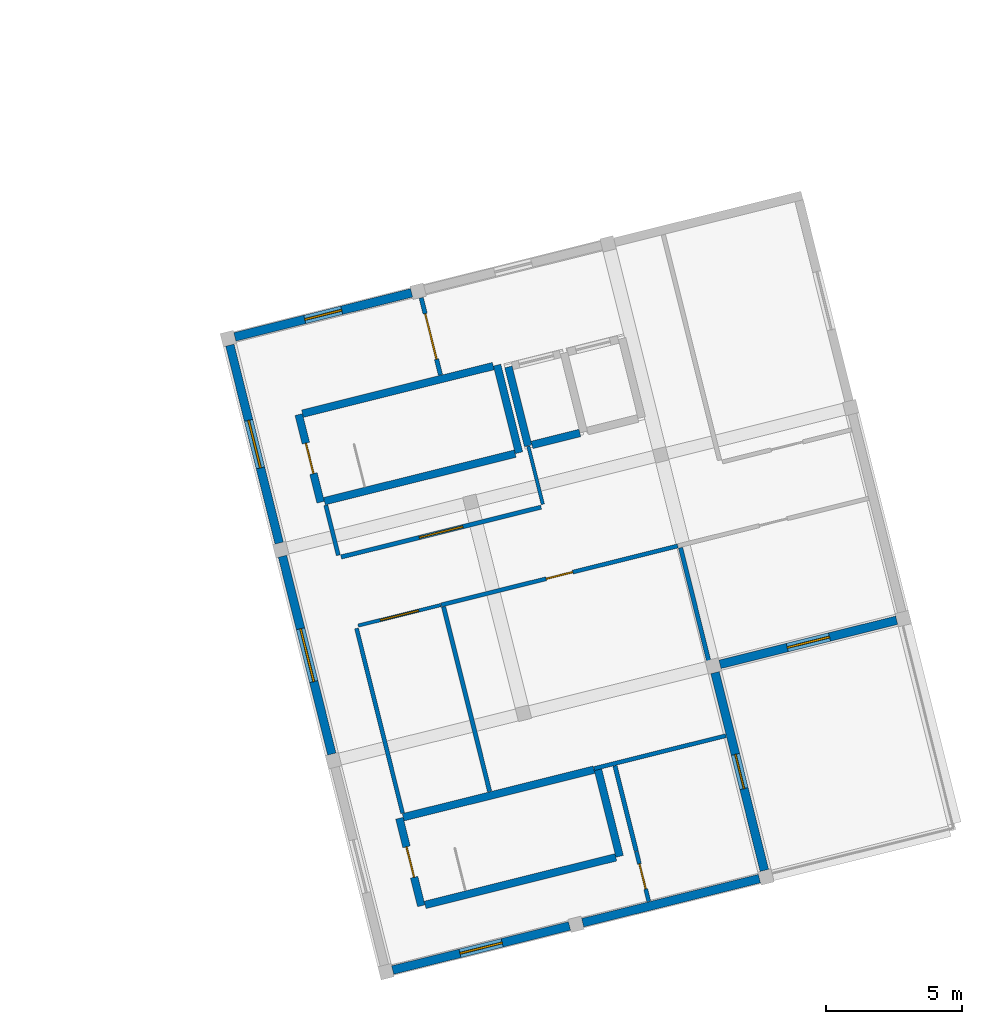
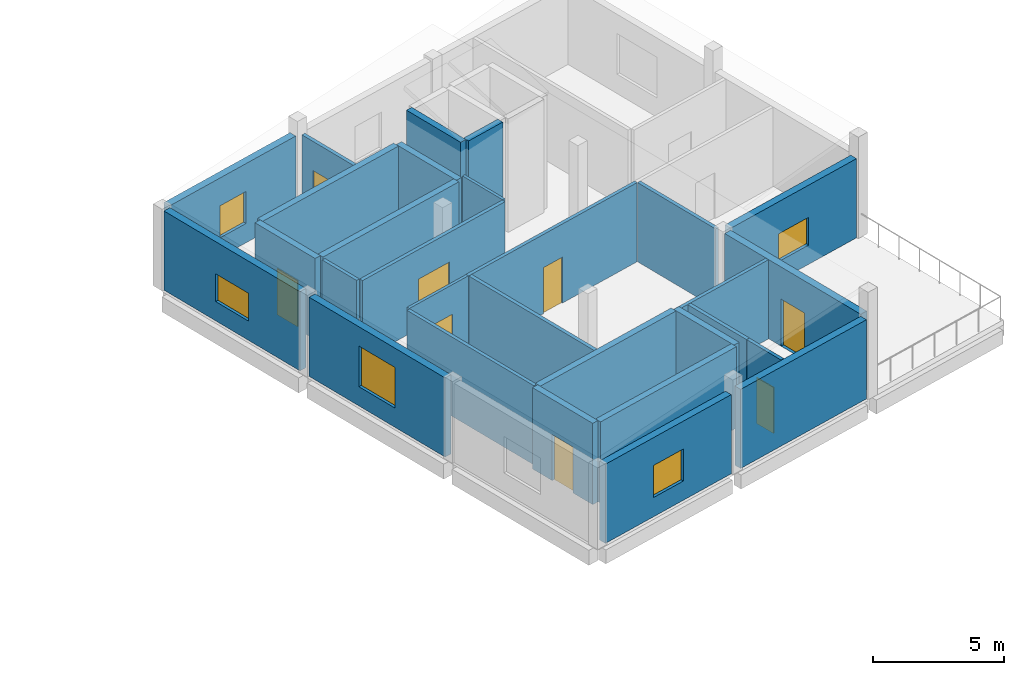
# One storey, part 2 of 4: 29 walls, 8 doors, 5 windows, 13 openings.
"""IFC4 building model written with IfcOpenShell, lengths in metres."""

from ifc_helpers import new_model, si_unit, direction, frame, frame_2d, origin, place, context, subcontext, project, spatial, rectangle, extrude, material, layer, layer_set, type_object, element, fill, save


model = new_model("IFC4")

# Units and contexts
model_context = context("Model", 3, precision=1e-05, world=origin(), true_north=direction((0.0, 1.0)))
body_context = subcontext(model_context, "Body", "Model", "MODEL_VIEW")
ifc_project = project(units=[si_unit("LENGTHUNIT", "METRE"), si_unit("AREAUNIT", "SQUARE_METRE"), si_unit("VOLUMEUNIT", "CUBIC_METRE"), si_unit("PLANEANGLEUNIT", "RADIAN"), si_unit("MASSUNIT", "GRAM", prefix="KILO")], contexts=[model_context])

# Site, building, storey
site_placement = place(None, origin())
site = spatial("IfcSite", under=ifc_project, at=site_placement, CompositionType="ELEMENT")
building_placement = place(site_placement, origin())
building = spatial("IfcBuilding", under=site, at=building_placement, Name="Mawjan Specialist Oncology Clinic", CompositionType="ELEMENT")
storey_placement = place(building_placement, frame((0.0, 0.0, 25.5)))
storey = spatial("IfcBuildingStorey", under=building, at=storey_placement, Name="L06", CompositionType="ELEMENT", Elevation=25.5)

# Wall, opening, window
ifc_material_1 = material(Name="Precast concrete C40/50", Category="concrete")
ifc_layer_1 = layer(ifc_material_1, 0.320068359375, Name="Precast concrete C40/50", Category="concrete")
ifc_layer_set_1 = layer_set([ifc_layer_1], Name="Precast concrete C40/50")
wall_type_1 = type_object("IfcWallType", Name="EW-320", PredefinedType="SOLIDWALL", material=ifc_layer_set_1)
wall_1_placement = place(storey_placement, frame((120.4365234375, 24.1474609375, 0.0), z_axis=(0.0, 0.0, 1.0), x_axis=(0.970288079516, 0.241952563016, 0.0)))
wall_1 = element("IfcWall", 1, at=wall_1_placement, inside=storey, type_object=wall_type_1, Name="L06 Coral-Limestone Exterior Wall EW-L06-394", PredefinedType="SOLIDWALL", context=body_context, shape_type="SweptSolid", body=[
    extrude(rectangle(XDim=6.699951171875, YDim=0.320068359375, at=frame_2d((3.35009765625, 0.0))), origin(), (0.0, 0.0, 1.0), 3.699951171875),
])
opening_1_placement = place(wall_1_placement, frame((2.64990234375, 0.0, 0.89990234375)))
opening_1 = element("IfcOpeningElement", 2, at=opening_1_placement, cuts=wall_1, Name="Opening WN-14", PredefinedType="OPENING", context=body_context, shape_type="SweptSolid", body=[
    extrude(rectangle(XDim=1.39990234375, YDim=1.5, at=frame_2d((0.699951171875, 0.75))), frame((0.0, 0.172119140625, 0.0), z_axis=(0.0, -1.0, 0.0), x_axis=(1.0, 0.0, 0.0)), (0.0, 0.0, 1.0), 0.343994140625),
])
ifc_material_2 = material(Name="Thermally broken low-E clinical aluminium window", Category="aluminium")
window_type_1 = type_object("IfcWindowType", Name="WN-14", PartitioningType="SINGLE_PANEL", PredefinedType="WINDOW", material=ifc_material_2)
window_1_placement = place(opening_1_placement, origin())
window_1 = element("IfcWindow", 3, at=window_1_placement, inside=storey, type_object=window_type_1, Name="L06 Clinical Low-E Window 086", OverallHeight=1.5, OverallWidth=1.39990234375, PartitioningType="SINGLE_PANEL", PredefinedType="WINDOW", context=body_context, shape_type="SweptSolid", body=[
    extrude(rectangle(XDim=1.39990234375, YDim=1.5, at=frame_2d((0.699951171875, 0.75))), frame((0.0, 0.030029296875, 0.0), z_axis=(0.0, -1.0, 0.0), x_axis=(1.0, 0.0, 0.0)), (0.0, 0.0, 1.0), 0.06005859375),
])
fill(opening_1, window_1)

wall_2_placement = place(storey_placement, frame((144.780517578125, 13.727294921875, 0.0), z_axis=(0.0, 0.0, 1.0), x_axis=(-0.970296633454, -0.241918257079, 0.0)))
wall_2 = element("IfcWall", 4, at=wall_2_placement, inside=storey, type_object=wall_type_1, Name="L06 Coral-Limestone Exterior Wall EW-L06-399", PredefinedType="SOLIDWALL", context=body_context, shape_type="SweptSolid", body=[
    extrude(rectangle(XDim=6.699951171875, YDim=0.320068359375, at=frame_2d((3.35009765625, 0.0))), origin(), (0.0, 0.0, 1.0), 3.699951171875),
])
opening_2_placement = place(wall_2_placement, frame((2.550048828125, 0.0, 0.89990234375)))
opening_2 = element("IfcOpeningElement", 5, at=opening_2_placement, cuts=wall_2, Name="Opening WN-17", PredefinedType="OPENING", context=body_context, shape_type="SweptSolid", body=[
    extrude(rectangle(XDim=1.60009765625, YDim=1.300048828125, at=frame_2d((0.800048828125, 0.64990234375))), frame((0.0, 0.172119140625, 0.0), z_axis=(0.0, -1.0, 0.0), x_axis=(1.0, 0.0, 0.0)), (0.0, 0.0, 1.0), 0.343994140625),
])
ifc_material_3 = material(Name="Thermally broken low-E clinical aluminium window", Category="aluminium")
window_type_2 = type_object("IfcWindowType", Name="WN-17", PartitioningType="DOUBLE_PANEL_VERTICAL", PredefinedType="WINDOW", material=ifc_material_3)
window_2_placement = place(opening_2_placement, origin())
window_2 = element("IfcWindow", 6, at=window_2_placement, inside=storey, type_object=window_type_2, Name="L06 Clinical Low-E Window 089", OverallHeight=1.300048828125, OverallWidth=1.60009765625, PartitioningType="DOUBLE_PANEL_VERTICAL", PredefinedType="WINDOW", context=body_context, shape_type="SweptSolid", body=[
    extrude(rectangle(XDim=1.60009765625, YDim=1.300048828125, at=frame_2d((0.800048828125, 0.64990234375))), frame((0.0, 0.030029296875, 0.0), z_axis=(0.0, -1.0, 0.0), x_axis=(1.0, 0.0, 0.0)), (0.0, 0.0, 1.0), 0.06005859375),
])
fill(opening_2, window_2)

# Wall, opening, door
wall_3_placement = place(storey_placement, frame((138.097412109375, 11.803466796875, 0.0), z_axis=(0.0, 0.0, 1.0), x_axis=(0.241930483572, -0.970293585014, 0.0)))
wall_3 = element("IfcWall", 7, at=wall_3_placement, inside=storey, type_object=wall_type_1, Name="L06 Coral-Limestone Exterior Wall EW-L06-400", PredefinedType="SOLIDWALL", context=body_context, shape_type="SweptSolid", body=[
    extrude(rectangle(XDim=7.5, YDim=0.320068359375, at=frame_2d((3.75, 0.0))), origin(), (0.0, 0.0, 1.0), 3.699951171875),
])
opening_3_placement = place(wall_3_placement, frame((3.10009765625, 0.0, 0.0)))
opening_3 = element("IfcOpeningElement", 8, at=opening_3_placement, cuts=wall_3, Name="Opening DT-130", PredefinedType="OPENING", context=body_context, shape_type="SweptSolid", body=[
    extrude(rectangle(XDim=1.300048828125, YDim=2.199951171875, at=frame_2d((0.64990234375, 1.10009765625))), frame((0.0, 0.172119140625, 0.0), z_axis=(0.0, -1.0, 0.0), x_axis=(1.0, 0.0, 0.0)), (0.0, 0.0, 1.0), 0.343994140625),
])
ifc_material_4 = material(Name="Insulated marine-grade aluminium entrance assembly", Category="aluminium")
door_type_1 = type_object("IfcDoorType", Name="DT-130", OperationType="NOTDEFINED", PredefinedType="DOOR", material=ifc_material_4)
door_1_placement = place(opening_3_placement, origin())
door_1 = element("IfcDoor", 9, at=door_1_placement, inside=storey, type_object=door_type_1, Name="L06 Healing Terrace Access Door 8", OperationType="SINGLE_SWING_LEFT", OverallHeight=2.199951171875, OverallWidth=1.300048828125, PredefinedType="DOOR", context=body_context, shape_type="SweptSolid", body=[
    extrude(rectangle(XDim=1.300048828125, YDim=2.199951171875, at=frame_2d((0.64990234375, 1.10009765625))), frame((0.0, 0.02490234375, 0.0), z_axis=(0.0, -1.0, 0.0), x_axis=(1.0, 0.0, 0.0)), (0.0, 0.0, 1.0), 0.050048828125),
])
fill(opening_3, door_1)

# Wall
wall_4_placement = place(storey_placement, frame((139.729736328125, 4.22314453125, 0.0), z_axis=(0.0, 0.0, 1.0), x_axis=(-0.970296633454, -0.241918257079, 0.0)))
element("IfcWall", 10, at=wall_4_placement, inside=storey, type_object=wall_type_1, Name="L06 Coral-Limestone Exterior Wall EW-L06-401", PredefinedType="SOLIDWALL", context=body_context, shape_type="SweptSolid", body=[
    extrude(rectangle(XDim=6.699951171875, YDim=0.320068359375, at=frame_2d((3.35009765625, 0.0))), origin(), (0.0, 0.0, 1.0), 3.699951171875),
])

# Wall, opening, window
wall_5_placement = place(storey_placement, frame((132.74365234375, 2.4814453125, 0.0), z_axis=(0.0, 0.0, 1.0), x_axis=(-0.970296633454, -0.241918257079, 0.0)))
wall_5 = element("IfcWall", 11, at=wall_5_placement, inside=storey, type_object=wall_type_1, Name="L06 Coral-Limestone Exterior Wall EW-L06-402", PredefinedType="SOLIDWALL", context=body_context, shape_type="SweptSolid", body=[
    extrude(rectangle(XDim=6.699951171875, YDim=0.320068359375, at=frame_2d((3.35009765625, 0.0))), origin(), (0.0, 0.0, 1.0), 3.699951171875),
])
opening_4_placement = place(wall_5_placement, frame((2.550048828125, 0.0, 0.89990234375)))
opening_4 = element("IfcOpeningElement", 12, at=opening_4_placement, cuts=wall_5, Name="Opening WN-18", PredefinedType="OPENING", context=body_context, shape_type="SweptSolid", body=[
    extrude(rectangle(XDim=1.60009765625, YDim=1.5, at=frame_2d((0.800048828125, 0.75))), frame((0.0, 0.172119140625, 0.0), z_axis=(0.0, -1.0, 0.0), x_axis=(1.0, 0.0, 0.0)), (0.0, 0.0, 1.0), 0.343994140625),
])
ifc_material_5 = material(Name="Thermally broken low-E clinical aluminium window", Category="aluminium")
window_type_3 = type_object("IfcWindowType", Name="WN-18", PartitioningType="DOUBLE_PANEL_VERTICAL", PredefinedType="WINDOW", material=ifc_material_5)
window_3_placement = place(opening_4_placement, origin())
window_3 = element("IfcWindow", 13, at=window_3_placement, inside=storey, type_object=window_type_3, Name="L06 Clinical Low-E Window 090", OverallHeight=1.5, OverallWidth=1.60009765625, PartitioningType="DOUBLE_PANEL_VERTICAL", PredefinedType="WINDOW", context=body_context, shape_type="SweptSolid", body=[
    extrude(rectangle(XDim=1.60009765625, YDim=1.5, at=frame_2d((0.800048828125, 0.75))), frame((0.0, 0.030029296875, 0.0), z_axis=(0.0, -1.0, 0.0), x_axis=(1.0, 0.0, 0.0)), (0.0, 0.0, 1.0), 0.06005859375),
])
fill(opening_4, window_3)

wall_6_placement = place(storey_placement, frame((124.004150390625, 8.804931640625, 0.0), z_axis=(0.0, 0.0, 1.0), x_axis=(-0.241922842305, 0.970295490235, 0.0)))
wall_6 = element("IfcWall", 14, at=wall_6_placement, inside=storey, type_object=wall_type_1, Name="L06 Coral-Limestone Exterior Wall EW-L06-404", PredefinedType="SOLIDWALL", context=body_context, shape_type="SweptSolid", body=[
    extrude(rectangle(XDim=7.500244140625, YDim=0.320068359375, at=frame_2d((3.75, 0.0))), origin(), (0.0, 0.0, 1.0), 3.699951171875),
])
opening_5_placement = place(wall_6_placement, frame((2.75, 0.0, 0.89990234375)))
opening_5 = element("IfcOpeningElement", 15, at=opening_5_placement, cuts=wall_6, Name="Opening WN-28", PredefinedType="OPENING", context=body_context, shape_type="SweptSolid", body=[
    extrude(rectangle(XDim=2.0, YDim=1.89990234375, at=frame_2d((1.0, 0.949951171875))), frame((0.0, 0.172119140625, 0.0), z_axis=(0.0, -1.0, 0.0), x_axis=(1.0, 0.0, 0.0)), (0.0, 0.0, 1.0), 0.343994140625),
])
ifc_material_6 = material(Name="Thermally broken low-E clinical aluminium window", Category="aluminium")
window_type_4 = type_object("IfcWindowType", Name="WN-28", PartitioningType="DOUBLE_PANEL_VERTICAL", PredefinedType="WINDOW", material=ifc_material_6)
window_4_placement = place(opening_5_placement, origin())
window_4 = element("IfcWindow", 16, at=window_4_placement, inside=storey, type_object=window_type_4, Name="L06 Clinical Low-E Window 092", OverallHeight=1.89990234375, OverallWidth=2.0, PartitioningType="DOUBLE_PANEL_VERTICAL", PredefinedType="WINDOW", context=body_context, shape_type="SweptSolid", body=[
    extrude(rectangle(XDim=2.0, YDim=1.89990234375, at=frame_2d((1.0, 0.949951171875))), frame((0.0, 0.030029296875, 0.0), z_axis=(0.0, -1.0, 0.0), x_axis=(1.0, 0.0, 0.0)), (0.0, 0.0, 1.0), 0.06005859375),
])
fill(opening_5, window_4)

wall_7_placement = place(storey_placement, frame((122.06884765625, 16.5673828125, 0.0), z_axis=(0.0, 0.0, 1.0), x_axis=(-0.241930483572, 0.970293585014, 0.0)))
wall_7 = element("IfcWall", 17, at=wall_7_placement, inside=storey, type_object=wall_type_1, Name="L06 Coral-Limestone Exterior Wall EW-L06-405", PredefinedType="SOLIDWALL", context=body_context, shape_type="SweptSolid", body=[
    extrude(rectangle(XDim=7.5, YDim=0.320068359375, at=frame_2d((3.75, 0.0))), origin(), (0.0, 0.0, 1.0), 3.699951171875),
])
opening_6_placement = place(wall_7_placement, frame((2.85009765625, 0.0, 0.89990234375)))
opening_6 = element("IfcOpeningElement", 18, at=opening_6_placement, cuts=wall_7, Name="Opening WN-21", PredefinedType="OPENING", context=body_context, shape_type="SweptSolid", body=[
    extrude(rectangle(XDim=1.800048828125, YDim=1.300048828125, at=frame_2d((0.89990234375, 0.64990234375))), frame((0.0, 0.172119140625, 0.0), z_axis=(0.0, -1.0, 0.0), x_axis=(1.0, 0.0, 0.0)), (0.0, 0.0, 1.0), 0.343994140625),
])
ifc_material_7 = material(Name="Thermally broken low-E clinical aluminium window", Category="aluminium")
window_type_5 = type_object("IfcWindowType", Name="WN-21", PartitioningType="DOUBLE_PANEL_VERTICAL", PredefinedType="WINDOW", material=ifc_material_7)
window_5_placement = place(opening_6_placement, origin())
window_5 = element("IfcWindow", 19, at=window_5_placement, inside=storey, type_object=window_type_5, Name="L06 Clinical Low-E Window 093", OverallHeight=1.300048828125, OverallWidth=1.800048828125, PartitioningType="DOUBLE_PANEL_VERTICAL", PredefinedType="WINDOW", context=body_context, shape_type="SweptSolid", body=[
    extrude(rectangle(XDim=1.800048828125, YDim=1.300048828125, at=frame_2d((0.89990234375, 0.64990234375))), frame((0.0, 0.030029296875, 0.0), z_axis=(0.0, -1.0, 0.0), x_axis=(1.0, 0.0, 0.0)), (0.0, 0.0, 1.0), 0.06005859375),
])
fill(opening_6, window_5)

# Walls
ifc_material_8 = material(Name="Concrete C45/55", Category="concrete")
ifc_layer_2 = layer(ifc_material_8, 0.280029296875, Name="Concrete C45/55", Category="concrete")
ifc_layer_set_2 = layer_set([ifc_layer_2], Name="Concrete C45/55")
wall_type_2 = type_object("IfcWallType", Name="SW-300", PredefinedType="SHEAR", material=ifc_layer_set_2)
wall_8_placement = place(storey_placement, frame((123.731201171875, 18.105224609375, 0.0), z_axis=(0.0, 0.0, 1.0), x_axis=(0.970297238923, 0.241915828623, 0.0)))
element("IfcWall", 20, at=wall_8_placement, inside=storey, type_object=wall_type_2, Name="L06 Core K5 Stair Shear Wall 1", PredefinedType="SHEAR", context=body_context, shape_type="SweptSolid", body=[
    extrude(rectangle(XDim=7.22998046875, YDim=0.280029296875, at=frame_2d((3.614990234375, 0.0))), origin(), (0.0, 0.0, 1.0), 3.800048828125),
])
wall_9_placement = place(storey_placement, frame((130.886962890625, 19.889404296875, 0.0), z_axis=(0.0, 0.0, 1.0), x_axis=(-0.241947258837, 0.970289402158, 0.0)))
element("IfcWall", 21, at=wall_9_placement, inside=storey, type_object=wall_type_2, Name="L06 Core K5 Stair Shear Wall 2", PredefinedType="SHEAR", context=body_context, shape_type="SweptSolid", body=[
    extrude(rectangle(XDim=3.31982421875, YDim=0.280029296875, at=frame_2d((1.659912109375, 0.0))), origin(), (0.0, 0.0, 1.0), 3.800048828125),
])
wall_10_placement = place(storey_placement, frame((129.943115234375, 23.07568359375, 0.0), z_axis=(0.0, 0.0, 1.0), x_axis=(-0.970289312034, -0.241947620266, 0.0)))
element("IfcWall", 22, at=wall_10_placement, inside=storey, type_object=wall_type_2, Name="L06 Core K5 Stair Shear Wall 3", PredefinedType="SHEAR", context=body_context, shape_type="SweptSolid", body=[
    extrude(rectangle(XDim=7.22998046875, YDim=0.280029296875, at=frame_2d((3.614990234375, 0.0))), origin(), (0.0, 0.0, 1.0), 3.800048828125),
])

# Wall, opening, door
wall_11_placement = place(storey_placement, frame((122.787353515625, 21.29150390625, 0.0), z_axis=(0.0, 0.0, 1.0), x_axis=(0.241860763027, -0.970310966293, 0.0)))
wall_11 = element("IfcWall", 23, at=wall_11_placement, inside=storey, type_object=wall_type_2, Name="L06 Core K5 Stair Shear Wall 4", PredefinedType="SHEAR", context=body_context, shape_type="SweptSolid", body=[
    extrude(rectangle(XDim=3.320068359375, YDim=0.280029296875, at=frame_2d((1.66015625, 0.0))), origin(), (0.0, 0.0, 1.0), 3.800048828125),
])
opening_7_placement = place(wall_11_placement, frame((1.0849609375, 0.0, 0.0)))
opening_7 = element("IfcOpeningElement", 24, at=opening_7_placement, cuts=wall_11, Name="Opening FD-90", PredefinedType="OPENING", context=body_context, shape_type="SweptSolid", body=[
    extrude(rectangle(XDim=1.14990234375, YDim=2.14990234375, at=frame_2d((0.574951171875, 1.074951171875))), frame((0.0, 0.152099609375, 0.0), z_axis=(0.0, -1.0, 0.0), x_axis=(1.0, 0.0, 0.0)), (0.0, 0.0, 1.0), 0.303955078125),
])
ifc_material_9 = material(Name="Stainless-steel fire-rated hospital door", Category="steel")
door_type_2 = type_object("IfcDoorType", Name="FD-90", OperationType="NOTDEFINED", PredefinedType="DOOR", material=ifc_material_9)
door_2_placement = place(opening_7_placement, origin())
door_2 = element("IfcDoor", 25, at=door_2_placement, inside=storey, type_object=door_type_2, Name="L06 ST-05 Fire Exit Stair Door", OperationType="SINGLE_SWING_LEFT", OverallHeight=2.14990234375, OverallWidth=1.14990234375, PredefinedType="DOOR", context=body_context, shape_type="SweptSolid", body=[
    extrude(rectangle(XDim=1.14990234375, YDim=2.14990234375, at=frame_2d((0.574951171875, 1.074951171875))), frame((0.0, 0.02490234375, 0.0), z_axis=(0.0, -1.0, 0.0), x_axis=(1.0, 0.0, 0.0)), (0.0, 0.0, 1.0), 0.050048828125),
])
fill(opening_7, door_2)

# Walls
wall_12_placement = place(storey_placement, frame((131.36328125, 20.17578125, 0.0), z_axis=(0.0, 0.0, 1.0), x_axis=(0.970284587517, 0.241966566341, 0.0)))
element("IfcWall", 26, at=wall_12_placement, inside=storey, type_object=wall_type_2, Name="L06 LF-01 Hoistway Wall 1", PredefinedType="SHEAR", context=body_context, shape_type="SweptSolid", body=[
    extrude(rectangle(XDim=1.817138671875, YDim=0.280029296875, at=frame_2d((0.90869140625, 0.0))), origin(), (0.0, 0.0, 1.0), 5.300048828125),
])
wall_13_placement = place(storey_placement, frame((130.498291015625, 23.046142578125, 0.0), z_axis=(0.0, 0.0, 1.0), x_axis=(0.241921647353, -0.970295788171, 0.0)))
element("IfcWall", 27, at=wall_13_placement, inside=storey, type_object=wall_type_2, Name="L06 LF-01 Hoistway Wall 4", PredefinedType="SHEAR", context=body_context, shape_type="SweptSolid", body=[
    extrude(rectangle(XDim=2.994140625, YDim=0.280029296875, at=frame_2d((1.4970703125, 0.0))), origin(), (0.0, 0.0, 1.0), 5.300048828125),
])
wall_14_placement = place(storey_placement, frame((127.4326171875, 3.259521484375, 0.0), z_axis=(0.0, 0.0, 1.0), x_axis=(0.970289312034, 0.241947620266, 0.0)))
element("IfcWall", 28, at=wall_14_placement, inside=storey, type_object=wall_type_2, Name="L06 Core K6 Stair Shear Wall 1", PredefinedType="SHEAR", context=body_context, shape_type="SweptSolid", body=[
    extrude(rectangle(XDim=7.22998046875, YDim=0.280029296875, at=frame_2d((3.614990234375, 0.0))), origin(), (0.0, 0.0, 1.0), 3.800048828125),
])
wall_15_placement = place(storey_placement, frame((134.58837890625, 5.043701171875, 0.0), z_axis=(0.0, 0.0, 1.0), x_axis=(-0.241929995817, 0.970293706629, 0.0)))
element("IfcWall", 29, at=wall_15_placement, inside=storey, type_object=wall_type_2, Name="L06 Core K6 Stair Shear Wall 2", PredefinedType="SHEAR", context=body_context, shape_type="SweptSolid", body=[
    extrude(rectangle(XDim=3.320068359375, YDim=0.280029296875, at=frame_2d((1.66015625, 0.0))), origin(), (0.0, 0.0, 1.0), 3.800048828125),
])
wall_16_placement = place(storey_placement, frame((133.64453125, 8.22998046875, 0.0), z_axis=(0.0, 0.0, 1.0), x_axis=(-0.970297238923, -0.241915828623, 0.0)))
element("IfcWall", 30, at=wall_16_placement, inside=storey, type_object=wall_type_2, Name="L06 Core K6 Stair Shear Wall 3", PredefinedType="SHEAR", context=body_context, shape_type="SweptSolid", body=[
    extrude(rectangle(XDim=7.22998046875, YDim=0.280029296875, at=frame_2d((3.614990234375, 0.0))), origin(), (0.0, 0.0, 1.0), 3.800048828125),
])

# Wall, opening, door
wall_17_placement = place(storey_placement, frame((126.488525390625, 6.44580078125, 0.0), z_axis=(0.0, 0.0, 1.0), x_axis=(0.241947258837, -0.970289402158, 0.0)))
wall_17 = element("IfcWall", 31, at=wall_17_placement, inside=storey, type_object=wall_type_2, Name="L06 Core K6 Stair Shear Wall 4", PredefinedType="SHEAR", context=body_context, shape_type="SweptSolid", body=[
    extrude(rectangle(XDim=3.31982421875, YDim=0.280029296875, at=frame_2d((1.659912109375, 0.0))), origin(), (0.0, 0.0, 1.0), 3.800048828125),
])
opening_8_placement = place(wall_17_placement, frame((1.0849609375, 0.0, 0.0)))
opening_8 = element("IfcOpeningElement", 32, at=opening_8_placement, cuts=wall_17, Name="Opening FD-90", PredefinedType="OPENING", context=body_context, shape_type="SweptSolid", body=[
    extrude(rectangle(XDim=1.14990234375, YDim=2.14990234375, at=frame_2d((0.574951171875, 1.074951171875))), frame((0.0, 0.152099609375, 0.0), z_axis=(0.0, -1.0, 0.0), x_axis=(1.0, 0.0, 0.0)), (0.0, 0.0, 1.0), 0.303955078125),
])
door_3_placement = place(opening_8_placement, origin())
door_3 = element("IfcDoor", 33, at=door_3_placement, inside=storey, type_object=door_type_2, Name="L06 ST-06 Fire Exit Stair Door", OperationType="SINGLE_SWING_LEFT", OverallHeight=2.14990234375, OverallWidth=1.14990234375, PredefinedType="DOOR", context=body_context, shape_type="SweptSolid", body=[
    extrude(rectangle(XDim=1.14990234375, YDim=2.14990234375, at=frame_2d((0.574951171875, 1.074951171875))), frame((0.0, 0.02490234375, 0.0), z_axis=(0.0, -1.0, 0.0), x_axis=(1.0, 0.0, 0.0)), (0.0, 0.0, 1.0), 0.050048828125),
])
fill(opening_8, door_3)

ifc_material_10 = material(Name="Moisture-resistant washroom partition", Category="gypsum")
ifc_layer_3 = layer(ifc_material_10, 0.125, Name="Moisture-resistant washroom partition", Category="gypsum")
ifc_layer_set_3 = layer_set([ifc_layer_3], Name="Moisture-resistant washroom partition")
wall_type_3 = type_object("IfcWallType", Name="WP-125", PredefinedType="PARTITIONING", material=ifc_layer_set_3)
wall_18_placement = place(storey_placement, frame((124.974853515625, 13.530029296875, 0.0), z_axis=(0.0, 0.0, 1.0), x_axis=(0.970289141252, 0.241948305158, 0.0)))
wall_18 = element("IfcWall", 34, at=wall_18_placement, inside=storey, type_object=wall_type_3, Name="L06 Interior Partition W-RINT-L06-RAS1-N", PredefinedType="PARTITIONING", context=body_context, shape_type="SweptSolid", body=[
    extrude(rectangle(XDim=3.130126953125, YDim=0.125, at=frame_2d((1.56494140625, 0.0))), origin(), (0.0, 0.0, 1.0), 3.699951171875),
])
opening_9_placement = place(wall_18_placement, frame((0.844970703125, 0.0, 0.0)))
opening_9 = element("IfcOpeningElement", 35, at=opening_9_placement, cuts=wall_18, Name="Opening DM-CT", PredefinedType="OPENING", context=body_context, shape_type="SweptSolid", body=[
    extrude(rectangle(XDim=1.43994140625, YDim=2.320068359375, at=frame_2d((0.719970703125, 1.16015625))), frame((0.0, 0.074462890625, 0.0), z_axis=(0.0, -1.0, 0.0), x_axis=(1.0, 0.0, 0.0)), (0.0, 0.0, 1.0), 0.14892578125),
])
ifc_material_11 = material(Name="Acoustic laminate hospital door leaf", Category="wood")
door_type_3 = type_object("IfcDoorType", Name="DM-CT", OperationType="NOTDEFINED", PredefinedType="DOOR", material=ifc_material_11)
door_4_placement = place(opening_9_placement, origin())
door_4 = element("IfcDoor", 36, at=door_4_placement, inside=storey, type_object=door_type_3, Name="L06 Accessible Toilet Door", OperationType="SINGLE_SWING_RIGHT", OverallHeight=2.320068359375, OverallWidth=1.43994140625, PredefinedType="DOOR", context=body_context, shape_type="SweptSolid", body=[
    extrude(rectangle(XDim=1.43994140625, YDim=2.320068359375, at=frame_2d((0.719970703125, 1.16015625))), frame((0.0, 0.02490234375, 0.0), z_axis=(0.0, -1.0, 0.0), x_axis=(1.0, 0.0, 0.0)), (0.0, 0.0, 1.0), 0.050048828125),
])
fill(opening_9, door_4)

# Wall
wall_19_placement = place(storey_placement, frame((131.7626953125, 17.98974609375, 0.0), z_axis=(0.0, 0.0, 1.0), x_axis=(-0.241962612769, 0.970285573438, 0.0)))
element("IfcWall", 37, at=wall_19_placement, inside=storey, type_object=wall_type_3, Name="L06 Interior Partition W-RINT-L06-RKS-E", PredefinedType="PARTITIONING", context=body_context, shape_type="SweptSolid", body=[
    extrude(rectangle(XDim=2.20556640625, YDim=0.125, at=frame_2d((1.102783203125, 0.0))), origin(), (0.0, 0.0, 1.0), 3.699951171875),
])

# Wall, opening, door
ifc_material_12 = material(Name="Acoustic gypsum clinical partition", Category="gypsum")
ifc_layer_4 = layer(ifc_material_12, 0.14990234375, Name="Acoustic gypsum clinical partition", Category="gypsum")
ifc_layer_set_4 = layer_set([ifc_layer_4], Name="Acoustic gypsum clinical partition")
wall_type_4 = type_object("IfcWallType", Name="WP-150", PredefinedType="PARTITIONING", material=ifc_layer_set_4)
wall_20_placement = place(storey_placement, frame((135.661376953125, 3.38623046875, 0.0), z_axis=(0.0, 0.0, 1.0), x_axis=(-0.241958983593, 0.970286478448, 0.0)))
wall_20 = element("IfcWall", 38, at=wall_20_placement, inside=storey, type_object=wall_type_4, Name="L06 Interior Partition W-RINT-L06-RSE-W", PredefinedType="PARTITIONING", context=body_context, shape_type="SweptSolid", body=[
    extrude(rectangle(XDim=1.892822265625, YDim=0.14990234375, at=frame_2d((0.9462890625, 0.0))), origin(), (0.0, 0.0, 1.0), 3.699951171875),
])
opening_10_placement = place(wall_20_placement, frame((0.471435546875, 0.0, 0.0)))
opening_10 = element("IfcOpeningElement", 39, at=opening_10_placement, cuts=wall_20, Name="Opening DA-95", PredefinedType="OPENING", context=body_context, shape_type="SweptSolid", body=[
    extrude(rectangle(XDim=0.949951171875, YDim=2.14990234375, at=frame_2d((0.47509765625, 1.074951171875))), frame((0.0, 0.0869140625, 0.0), z_axis=(0.0, -1.0, 0.0), x_axis=(1.0, 0.0, 0.0)), (0.0, 0.0, 1.0), 0.173828125),
])
ifc_material_13 = material(Name="Acoustic laminate hospital door leaf", Category="wood")
door_type_4 = type_object("IfcDoorType", Name="DA-95", OperationType="NOTDEFINED", PredefinedType="DOOR", material=ifc_material_13)
door_5_placement = place(opening_10_placement, origin())
door_5 = element("IfcDoor", 40, at=door_5_placement, inside=storey, type_object=door_type_4, Name="L06 Clinical Protocol Review Office Door", OperationType="SINGLE_SWING_LEFT", OverallHeight=2.14990234375, OverallWidth=0.949951171875, PredefinedType="DOOR", context=body_context, shape_type="SweptSolid", body=[
    extrude(rectangle(XDim=0.949951171875, YDim=2.14990234375, at=frame_2d((0.47509765625, 1.074951171875))), frame((0.0, 0.02490234375, 0.0), z_axis=(0.0, -1.0, 0.0), x_axis=(1.0, 0.0, 0.0)), (0.0, 0.0, 1.0), 0.050048828125),
])
fill(opening_10, door_5)

wall_21_placement = place(storey_placement, frame((128.0234375, 14.290283203125, 0.0), z_axis=(0.0, 0.0, 1.0), x_axis=(0.9702992324, 0.241907832869, 0.0)))
wall_21 = element("IfcWall", 41, at=wall_21_placement, inside=storey, type_object=wall_type_4, Name="L06 Interior Partition W-RINT-L06-RAS2-N", PredefinedType="PARTITIONING", context=body_context, shape_type="SweptSolid", body=[
    extrude(rectangle(XDim=8.968017578125, YDim=0.14990234375, at=frame_2d((4.48388671875, 0.0))), origin(), (0.0, 0.0, 1.0), 3.699951171875),
])
opening_11_placement = place(wall_21_placement, frame((3.98388671875, 0.0, 0.0)))
opening_11 = element("IfcOpeningElement", 42, at=opening_11_placement, cuts=wall_21, Name="Opening DI-100", PredefinedType="OPENING", context=body_context, shape_type="SweptSolid", body=[
    extrude(rectangle(XDim=1.0, YDim=2.14990234375, at=frame_2d((0.5, 1.074951171875))), frame((0.0, 0.0869140625, 0.0), z_axis=(0.0, -1.0, 0.0), x_axis=(1.0, 0.0, 0.0)), (0.0, 0.0, 1.0), 0.173828125),
])
ifc_material_14 = material(Name="Acoustic laminate hospital door leaf", Category="wood")
door_type_5 = type_object("IfcDoorType", Name="DI-100", OperationType="NOTDEFINED", PredefinedType="DOOR", material=ifc_material_14)
door_6_placement = place(opening_11_placement, origin())
door_6 = element("IfcDoor", 43, at=door_6_placement, inside=storey, type_object=door_type_5, Name="L06 Translational Oncology Laboratory Door", OperationType="SINGLE_SWING_RIGHT", OverallHeight=2.14990234375, OverallWidth=1.0, PredefinedType="DOOR", context=body_context, shape_type="SweptSolid", body=[
    extrude(rectangle(XDim=1.0, YDim=2.14990234375, at=frame_2d((0.5, 1.074951171875))), frame((0.0, 0.02490234375, 0.0), z_axis=(0.0, -1.0, 0.0), x_axis=(1.0, 0.0, 0.0)), (0.0, 0.0, 1.0), 0.050048828125),
])
fill(opening_11, door_6)

# Walls
wall_22_placement = place(storey_placement, frame((124.242919921875, 16.11474609375, 0.0), z_axis=(0.0, 0.0, 1.0), x_axis=(-0.241962034071, 0.970285717749, 0.0)))
element("IfcWall", 44, at=wall_22_placement, inside=storey, type_object=wall_type_4, Name="L06 Interior Partition W-RINT-L06-RKS-W", PredefinedType="PARTITIONING", context=body_context, shape_type="SweptSolid", body=[
    extrude(rectangle(XDim=1.903076171875, YDim=0.14990234375, at=frame_2d((0.95166015625, 0.0))), origin(), (0.0, 0.0, 1.0), 3.699951171875),
])
wall_23_placement = place(storey_placement, frame((133.646484375, 8.271728515625, 0.0), z_axis=(0.0, 0.0, 1.0), x_axis=(0.970291639625, 0.24193828567, 0.0)))
element("IfcWall", 45, at=wall_23_placement, inside=storey, type_object=wall_type_4, Name="L06 Interior Partition W-RINT-L06-RSE-N", PredefinedType="PARTITIONING", context=body_context, shape_type="SweptSolid", body=[
    extrude(rectangle(XDim=5.001220703125, YDim=0.14990234375, at=frame_2d((2.50048828125, 0.0))), origin(), (0.0, 0.0, 1.0), 3.699951171875),
])
wall_24_placement = place(storey_placement, frame((126.607177734375, 6.632080078125, 0.0), z_axis=(0.0, 0.0, 1.0), x_axis=(-0.241944970231, 0.970289972833, 0.0)))
element("IfcWall", 46, at=wall_24_placement, inside=storey, type_object=wall_type_4, Name="L06 Interior Partition W-RINT-L06-RAS1-W", PredefinedType="PARTITIONING", context=body_context, shape_type="SweptSolid", body=[
    extrude(rectangle(XDim=7.0029296875, YDim=0.14990234375, at=frame_2d((3.50146484375, 0.0))), origin(), (0.0, 0.0, 1.0), 3.699951171875),
])

# Wall, opening, door
ifc_material_15 = material(Name="Acoustic clinical twin-stud partition", Category="gypsum")
ifc_layer_5 = layer(ifc_material_15, 0.159912109375, Name="Acoustic clinical twin-stud partition", Category="gypsum")
ifc_layer_set_5 = layer_set([ifc_layer_5], Name="Acoustic clinical twin-stud partition")
wall_type_5 = type_object("IfcWallType", Name="WP-160", PredefinedType="PARTITIONING", material=ifc_layer_set_5)
wall_25_placement = place(storey_placement, frame((124.345947265625, 16.052978515625, 0.0), z_axis=(0.0, 0.0, 1.0), x_axis=(0.970295772287, 0.241921711059, 0.0)))
wall_25 = element("IfcWall", 47, at=wall_25_placement, inside=storey, type_object=wall_type_5, Name="L06 Interior Partition W-RINT-L06-RKS-S", PredefinedType="PARTITIONING", context=body_context, shape_type="SweptSolid", body=[
    extrude(rectangle(XDim=7.579833984375, YDim=0.159912109375, at=frame_2d((3.7900390625, 0.0))), origin(), (0.0, 0.0, 1.0), 3.699951171875),
])
opening_12_placement = place(wall_25_placement, frame((2.965087890625, 0.0, 0.0)))
opening_12 = element("IfcOpeningElement", 48, at=opening_12_placement, cuts=wall_25, Name="Opening DC-165", PredefinedType="OPENING", context=body_context, shape_type="SweptSolid", body=[
    extrude(rectangle(XDim=1.64990234375, YDim=2.320068359375, at=frame_2d((0.824951171875, 1.16015625))), frame((0.0, 0.092041015625, 0.0), z_axis=(0.0, -1.0, 0.0), x_axis=(1.0, 0.0, 0.0)), (0.0, 0.0, 1.0), 0.183837890625),
])
ifc_material_16 = material(Name="Acoustic laminate hospital door leaf", Category="wood")
door_type_6 = type_object("IfcDoorType", Name="DC-165", OperationType="NOTDEFINED", PredefinedType="DOOR", material=ifc_material_16)
door_7_placement = place(opening_12_placement, origin())
door_7 = element("IfcDoor", 49, at=door_7_placement, inside=storey, type_object=door_type_6, Name="L06 Research Clean Supply Room Door", OperationType="SINGLE_SWING_LEFT", OverallHeight=2.320068359375, OverallWidth=1.64990234375, PredefinedType="DOOR", context=body_context, shape_type="SweptSolid", body=[
    extrude(rectangle(XDim=1.64990234375, YDim=2.320068359375, at=frame_2d((0.824951171875, 1.16015625))), frame((0.0, 0.02490234375, 0.0), z_axis=(0.0, -1.0, 0.0), x_axis=(1.0, 0.0, 0.0)), (0.0, 0.0, 1.0), 0.050048828125),
])
fill(opening_12, door_7)

wall_26_placement = place(storey_placement, frame((127.999755859375, 22.747802734375, 0.0), z_axis=(0.0, 0.0, 1.0), x_axis=(-0.24188769692, 0.970304252324, 0.0)))
wall_26 = element("IfcWall", 50, at=wall_26_placement, inside=storey, type_object=wall_type_5, Name="L06 Interior Partition W-RINT-L06-RWN-E", PredefinedType="PARTITIONING", context=body_context, shape_type="SweptSolid", body=[
    extrude(rectangle(XDim=2.926025390625, YDim=0.159912109375, at=frame_2d((1.462890625, 0.0))), origin(), (0.0, 0.0, 1.0), 3.699951171875),
])
opening_13_placement = place(wall_26_placement, frame((0.60302734375, 0.0, 0.0)))
opening_13 = element("IfcOpeningElement", 51, at=opening_13_placement, cuts=wall_26, Name="Opening DC-172", PredefinedType="OPENING", context=body_context, shape_type="SweptSolid", body=[
    extrude(rectangle(XDim=1.719970703125, YDim=2.340087890625, at=frame_2d((0.85986328125, 1.169921875))), frame((0.0, 0.092041015625, 0.0), z_axis=(0.0, -1.0, 0.0), x_axis=(1.0, 0.0, 0.0)), (0.0, 0.0, 1.0), 0.183837890625),
])
ifc_material_17 = material(Name="Acoustic laminate hospital door leaf", Category="wood")
door_type_7 = type_object("IfcDoorType", Name="DC-172", OperationType="NOTDEFINED", PredefinedType="DOOR", material=ifc_material_17)
door_8_placement = place(opening_13_placement, origin())
door_8 = element("IfcDoor", 52, at=door_8_placement, inside=storey, type_object=door_type_7, Name="L06 Computational Oncology Laboratory Door", OperationType="SINGLE_SWING_LEFT", OverallHeight=2.340087890625, OverallWidth=1.719970703125, PredefinedType="DOOR", context=body_context, shape_type="SweptSolid", body=[
    extrude(rectangle(XDim=1.719970703125, YDim=2.340087890625, at=frame_2d((0.85986328125, 1.169921875))), frame((0.0, 0.02490234375, 0.0), z_axis=(0.0, -1.0, 0.0), x_axis=(1.0, 0.0, 0.0)), (0.0, 0.0, 1.0), 0.050048828125),
])
fill(opening_13, door_8)

# Walls
wall_27_placement = place(storey_placement, frame((135.200439453125, 5.234619140625, 0.0), z_axis=(0.0, 0.0, 1.0), x_axis=(-0.241878748512, 0.970306483034, 0.0)))
element("IfcWall", 53, at=wall_27_placement, inside=storey, type_object=wall_type_5, Name="L06 Interior Partition W-RINT-L06-RSE-WB", PredefinedType="PARTITIONING", context=body_context, shape_type="SweptSolid", body=[
    extrude(rectangle(XDim=3.236083984375, YDim=0.159912109375, at=frame_2d((1.6181640625, 0.0))), origin(), (0.0, 0.0, 1.0), 3.699951171875),
])
wall_28_placement = place(storey_placement, frame((129.80908203125, 7.430419921875, 0.0), z_axis=(0.0, 0.0, 1.0), x_axis=(-0.241911968874, 0.970298201233, 0.0)))
element("IfcWall", 54, at=wall_28_placement, inside=storey, type_object=wall_type_5, Name="L06 Interior Partition W-RINT-L06-RAS1-E", PredefinedType="PARTITIONING", context=body_context, shape_type="SweptSolid", body=[
    extrude(rectangle(XDim=7.0009765625, YDim=0.159912109375, at=frame_2d((3.50048828125, 0.0))), origin(), (0.0, 0.0, 1.0), 3.699951171875),
])
wall_29_placement = place(storey_placement, frame((137.869873046875, 12.22021484375, 0.0), z_axis=(0.0, 0.0, 1.0), x_axis=(-0.241948270812, 0.970289149816, 0.0)))
element("IfcWall", 55, at=wall_29_placement, inside=storey, type_object=wall_type_5, Name="L06 Interior Partition W-RINT-L06-RAS2-E", PredefinedType="PARTITIONING", context=body_context, shape_type="SweptSolid", body=[
    extrude(rectangle(XDim=4.3037109375, YDim=0.159912109375, at=frame_2d((2.15185546875, 0.0))), origin(), (0.0, 0.0, 1.0), 3.699951171875),
])

save(model, "model.ifc")
